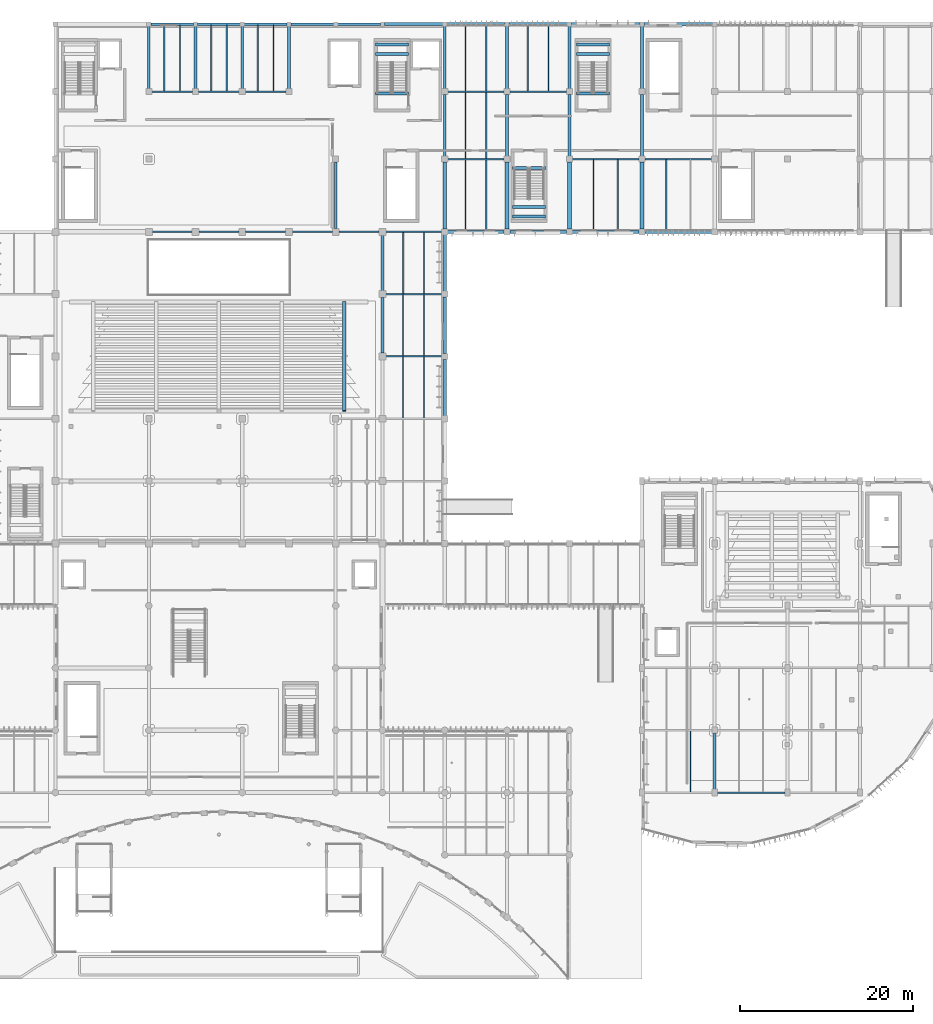
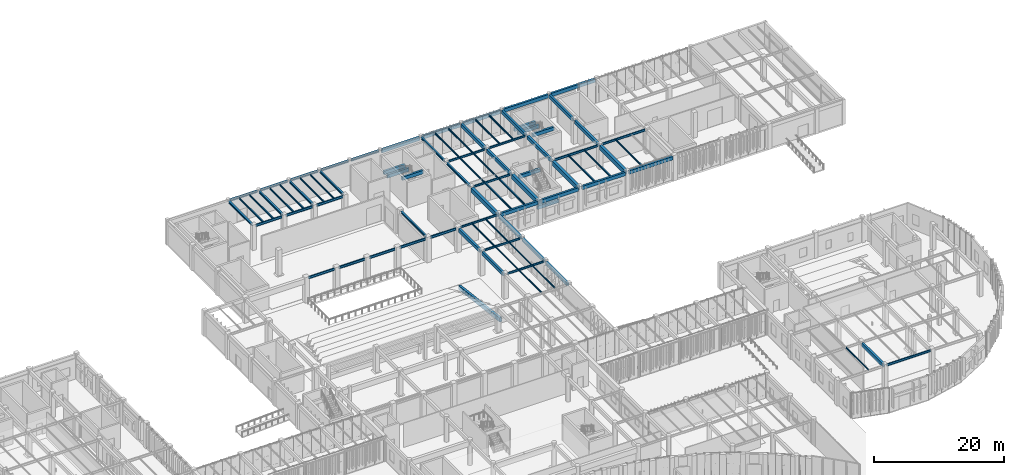
# One storey, part 13 of 122: 88 beams.
"""IFC4 building model written with IfcOpenShell, lengths in metres."""

from ifc_helpers import new_model, si_unit, direction, frame, origin, origin_2d, place, context, subcontext, project, spatial, rectangle, i_section, extrude, material, material_profile, profile_set, type_object, element, save


model = new_model("IFC4")

# Units and contexts
model_context = context("Model", 3, precision=1e-05, world=origin(), true_north=direction((0.0, 1.0)))
body_context = subcontext(model_context, "Body", "Model", "MODEL_VIEW")
ifc_project = project(units=[si_unit("LENGTHUNIT", "METRE"), si_unit("AREAUNIT", "SQUARE_METRE"), si_unit("VOLUMEUNIT", "CUBIC_METRE"), si_unit("PLANEANGLEUNIT", "RADIAN"), si_unit("MASSUNIT", "GRAM", prefix="KILO")], contexts=[model_context])

# Site, building, storey
site_placement = place(None, origin())
site = spatial("IfcSite", under=ifc_project, at=site_placement, CompositionType="ELEMENT")
building_placement = place(site_placement, origin())
building = spatial("IfcBuilding", under=site, at=building_placement, Name="Tazoul Stagehouse", CompositionType="ELEMENT")
storey_placement = place(building_placement, origin())
storey = spatial("IfcBuildingStorey", under=building, at=storey_placement, Name="L00", CompositionType="ELEMENT", Elevation=0.0)

# Beams
ifc_material_1 = material(Name="Concrete C40/50", Category="concrete")
ifc_material_profile_1 = material_profile(ifc_material_1, rectangle(XDim=0.39990234375, YDim=0.75, at=origin_2d()), Name="RC 400x750")
ifc_profile_set_1 = profile_set([ifc_material_profile_1], Name="Concrete C40/50")
beam_type_1 = type_object("IfcBeamType", Name="RC Auditorium Raker Girder 400x750", PredefinedType="BEAM", material=ifc_profile_set_1)
beam_1_placement = place(storey_placement, frame((91.0, 79.699951171875, -0.330078125), z_axis=(0.0, -0.992612977455, 0.121323851688), x_axis=(1.0, 0.0, 0.0)))
element("IfcBeam", 1, at=beam_1_placement, inside=storey, type_object=beam_type_1, Name="RAKER V1-STALLS RB-01-05", PredefinedType="BEAM", context=body_context, shape_type="SweptSolid", body=[
    extrude(rectangle(XDim=0.39990234375, YDim=0.75, at=origin_2d()), origin(), (0.0, 0.0, 1.0), 12.693603515625),
])
ifc_material_profile_2 = material_profile(ifc_material_1, rectangle(XDim=0.35009765625, YDim=0.64990234375, at=origin_2d()), Name="RC 350x650")
ifc_profile_set_2 = profile_set([ifc_material_profile_2], Name="Concrete C40/50")
beam_type_2 = type_object("IfcBeamType", Name="RC Perimeter Spandrel 350x650 (Exterior)", PredefinedType="SPANDREL", material=ifc_profile_set_2)
for number, where, z_axis, x_axis, name in (
    (2, (102.925048828125, 87.800048828125, 4.212890625), (1.0, 0.0, 0.0), (0.0, 1.0, 0.0), "L00 Beam SP-01E N/16-17"),
    (3, (110.125, 87.800048828125, 4.212890625), (1.0, 0.0, 0.0), (0.0, 1.0, 0.0), "L00 Beam SP-01E N/17-18"),
):
    element("IfcBeam", number, at=place(storey_placement, frame(where, z_axis=z_axis, x_axis=x_axis)), inside=storey, type_object=beam_type_2, Name=name, PredefinedType="SPANDREL", context=body_context, shape_type="SweptSolid", body=[
        extrude(rectangle(XDim=0.35009765625, YDim=0.64990234375, at=origin_2d()), origin(), (0.0, 0.0, 1.0), 6.550048828125),
    ])
for number, where, z_axis, x_axis, name in (
    (4, (117.324951171875, 87.800048828125, 4.212890625), (1.0, 0.0, 0.0), (0.0, 1.0, 0.0), "L00 Beam SP-01E N/18-19"),
    (5, (125.72509765625, 87.800048828125, 4.212890625), (1.0, 0.0, 0.0), (0.0, 1.0, 0.0), "L00 Beam SP-01E N/19-20"),
):
    element("IfcBeam", number, at=place(storey_placement, frame(where, z_axis=z_axis, x_axis=x_axis)), inside=storey, type_object=beam_type_2, Name=name, PredefinedType="SPANDREL", context=body_context, shape_type="SweptSolid", body=[
        extrude(rectangle(XDim=0.35009765625, YDim=0.64990234375, at=origin_2d()), origin(), (0.0, 0.0, 1.0), 7.75),
    ])
for number, where, z_axis, x_axis, name in (
    (6, (95.625, 111.800048828125, 4.212890625), (1.0, 0.0, 0.0), (0.0, 1.0, 0.0), "L00 Beam SP-01E R/15-16"),
    (7, (102.824951171875, 111.800048828125, 4.212890625), (1.0, 0.0, 0.0), (0.0, 1.0, 0.0), "L00 Beam SP-01E R/16-17"),
    (8, (110.02490234375, 111.800048828125, 4.212890625), (1.0, 0.0, 0.0), (0.0, 1.0, 0.0), "L00 Beam SP-01E R/17-18"),
):
    element("IfcBeam", number, at=place(storey_placement, frame(where, z_axis=z_axis, x_axis=x_axis)), inside=storey, type_object=beam_type_2, Name=name, PredefinedType="SPANDREL", context=body_context, shape_type="SweptSolid", body=[
        extrude(rectangle(XDim=0.35009765625, YDim=0.64990234375, at=origin_2d()), origin(), (0.0, 0.0, 1.0), 6.75),
    ])
for number, where, z_axis, x_axis, name in (
    (9, (117.22509765625, 111.800048828125, 4.212890625), (1.0, 0.0, 0.0), (0.0, 1.0, 0.0), "L00 Beam SP-01E R/18-19"),
    (10, (125.625, 111.800048828125, 4.212890625), (1.0, 0.0, 0.0), (0.0, 1.0, 0.0), "L00 Beam SP-01E R/19-20"),
):
    element("IfcBeam", number, at=place(storey_placement, frame(where, z_axis=z_axis, x_axis=x_axis)), inside=storey, type_object=beam_type_2, Name=name, PredefinedType="SPANDREL", context=body_context, shape_type="SweptSolid", body=[
        extrude(rectangle(XDim=0.35009765625, YDim=0.64990234375, at=origin_2d()), origin(), (0.0, 0.0, 1.0), 7.949951171875),
    ])
beam_2_placement = place(storey_placement, frame((102.60009765625, 66.52490234375, 4.212890625), z_axis=(0.0, 1.0, 0.0), x_axis=(-1.0, 0.0, 0.0)))
element("IfcBeam", 11, at=beam_2_placement, inside=storey, type_object=beam_type_2, Name="L00 Beam SP-01E 16/K-L", PredefinedType="SPANDREL", context=body_context, shape_type="SweptSolid", body=[
    extrude(rectangle(XDim=0.35009765625, YDim=0.64990234375, at=origin_2d()), origin(), (0.0, 0.0, 1.0), 6.550048828125),
])
beam_3_placement = place(storey_placement, frame((102.60009765625, 73.72509765625, 4.212890625), z_axis=(0.0, 1.0, 0.0), x_axis=(-1.0, 0.0, 0.0)))
element("IfcBeam", 12, at=beam_3_placement, inside=storey, type_object=beam_type_2, Name="L00 Beam SP-01E 16/L-M", PredefinedType="SPANDREL", context=body_context, shape_type="SweptSolid", body=[
    extrude(rectangle(XDim=0.35009765625, YDim=0.64990234375, at=origin_2d()), origin(), (0.0, 0.0, 1.0), 6.5498046875),
])
beam_4_placement = place(storey_placement, frame((102.60009765625, 80.925048828125, 4.212890625), z_axis=(0.0, 1.0, 0.0), x_axis=(-1.0, 0.0, 0.0)))
element("IfcBeam", 13, at=beam_4_placement, inside=storey, type_object=beam_type_2, Name="L00 Beam SP-01E 16/M-N", PredefinedType="SPANDREL", context=body_context, shape_type="SweptSolid", body=[
    extrude(rectangle(XDim=0.35009765625, YDim=0.64990234375, at=origin_2d()), origin(), (0.0, 0.0, 1.0), 6.550048828125),
])
ifc_material_profile_3 = material_profile(ifc_material_1, rectangle(XDim=0.35009765625, YDim=0.64990234375, at=origin_2d()), Name="RC 350x650")
ifc_profile_set_3 = profile_set([ifc_material_profile_3], Name="Concrete C40/50")
beam_type_3 = type_object("IfcBeamType", Name="RC Primary Girder 350x650", PredefinedType="BEAM", material=ifc_profile_set_3)
beam_5_placement = place(storey_placement, frame((95.39990234375, 73.77490234375, 4.212890625), z_axis=(0.0, 1.0, 0.0), x_axis=(-1.0, 0.0, 0.0)))
element("IfcBeam", 14, at=beam_5_placement, inside=storey, type_object=beam_type_3, Name="L00 Beam BM-01 15/L-M", PredefinedType="BEAM", context=body_context, shape_type="SweptSolid", body=[
    extrude(rectangle(XDim=0.35009765625, YDim=0.64990234375, at=origin_2d()), origin(), (0.0, 0.0, 1.0), 6.4501953125),
])
beam_6_placement = place(storey_placement, frame((95.39990234375, 80.97509765625, 4.212890625), z_axis=(0.0, 1.0, 0.0), x_axis=(-1.0, 0.0, 0.0)))
element("IfcBeam", 15, at=beam_6_placement, inside=storey, type_object=beam_type_3, Name="L00 Beam BM-01 15/M-N", PredefinedType="BEAM", context=body_context, shape_type="SweptSolid", body=[
    extrude(rectangle(XDim=0.35009765625, YDim=0.64990234375, at=origin_2d()), origin(), (0.0, 0.0, 1.0), 6.449951171875),
])
beam_7_placement = place(storey_placement, frame((109.800048828125, 96.52490234375, 4.212890625), z_axis=(0.0, 1.0, 0.0), x_axis=(-1.0, 0.0, 0.0)))
element("IfcBeam", 16, at=beam_7_placement, inside=storey, type_object=beam_type_3, Name="L00 Beam BM-01 17/P-Q", PredefinedType="BEAM", context=body_context, shape_type="SweptSolid", body=[
    extrude(rectangle(XDim=0.35009765625, YDim=0.64990234375, at=origin_2d()), origin(), (0.0, 0.0, 1.0), 7.150146484375),
])
beam_8_placement = place(storey_placement, frame((109.800048828125, 104.324951171875, 4.212890625), z_axis=(0.0, 1.0, 0.0), x_axis=(-1.0, 0.0, 0.0)))
element("IfcBeam", 17, at=beam_8_placement, inside=storey, type_object=beam_type_3, Name="L00 Beam BM-01 17/Q-R", PredefinedType="BEAM", context=body_context, shape_type="SweptSolid", body=[
    extrude(rectangle(XDim=0.35009765625, YDim=0.64990234375, at=origin_2d()), origin(), (0.0, 0.0, 1.0), 7.25),
])
beam_9_placement = place(storey_placement, frame((117.0, 96.52490234375, 4.212890625), z_axis=(0.0, 1.0, 0.0), x_axis=(-1.0, 0.0, 0.0)))
element("IfcBeam", 18, at=beam_9_placement, inside=storey, type_object=beam_type_3, Name="L00 Beam BM-01 18/P-Q", PredefinedType="BEAM", context=body_context, shape_type="SweptSolid", body=[
    extrude(rectangle(XDim=0.35009765625, YDim=0.64990234375, at=origin_2d()), origin(), (0.0, 0.0, 1.0), 7.150146484375),
])
beam_10_placement = place(storey_placement, frame((117.0, 104.324951171875, 4.212890625), z_axis=(0.0, 1.0, 0.0), x_axis=(-1.0, 0.0, 0.0)))
element("IfcBeam", 19, at=beam_10_placement, inside=storey, type_object=beam_type_3, Name="L00 Beam BM-01 18/Q-R", PredefinedType="BEAM", context=body_context, shape_type="SweptSolid", body=[
    extrude(rectangle(XDim=0.35009765625, YDim=0.64990234375, at=origin_2d()), origin(), (0.0, 0.0, 1.0), 7.25),
])
beam_11_placement = place(storey_placement, frame((125.39990234375, 96.52490234375, 4.212890625), z_axis=(0.0, 1.0, 0.0), x_axis=(-1.0, 0.0, 0.0)))
element("IfcBeam", 20, at=beam_11_placement, inside=storey, type_object=beam_type_3, Name="L00 Beam BM-01 19/P-Q", PredefinedType="BEAM", context=body_context, shape_type="SweptSolid", body=[
    extrude(rectangle(XDim=0.35009765625, YDim=0.64990234375, at=origin_2d()), origin(), (0.0, 0.0, 1.0), 7.150146484375),
])
beam_12_placement = place(storey_placement, frame((125.39990234375, 104.324951171875, 4.212890625), z_axis=(0.0, 1.0, 0.0), x_axis=(-1.0, 0.0, 0.0)))
element("IfcBeam", 21, at=beam_12_placement, inside=storey, type_object=beam_type_3, Name="L00 Beam BM-01 19/Q-R", PredefinedType="BEAM", context=body_context, shape_type="SweptSolid", body=[
    extrude(rectangle(XDim=0.35009765625, YDim=0.64990234375, at=origin_2d()), origin(), (0.0, 0.0, 1.0), 7.25),
])
beam_13_placement = place(storey_placement, frame((133.800048828125, 23.375, 4.212890625), z_axis=(0.0, 1.0, 0.0), x_axis=(-1.0, 0.0, 0.0)))
element("IfcBeam", 22, at=beam_13_placement, inside=storey, type_object=beam_type_3, Name="L00 Beam BM-01 20/D-E", PredefinedType="BEAM", context=body_context, shape_type="SweptSolid", body=[
    extrude(rectangle(XDim=0.35009765625, YDim=0.64990234375, at=origin_2d()), origin(), (0.0, 0.0, 1.0), 6.449951171875),
])
for number, where, z_axis, x_axis, name in (
    (23, (94.6201171875, 108.35009765625, 1.8798828125), (1.0, 0.0, 0.0), (0.0, 1.0, 0.0), "L00 Stair Half-Landing Trimmer BM-01 (ST-01-1)"),
    (24, (94.6201171875, 109.449951171875, 1.8798828125), (1.0, 0.0, 0.0), (0.0, 1.0, 0.0), "L00 Stair Half-Landing Trimmer BM-01 (ST-01-2)"),
    (25, (94.6201171875, 103.800048828125, 4.215087890625), (1.0, 0.0, 0.0), (0.0, 1.0, 0.0), "L00 Stair Landing Trimmer BM-01 (ST-01-FL)"),
    (26, (117.820068359375, 108.35009765625, 1.8798828125), (1.0, 0.0, 0.0), (0.0, 1.0, 0.0), "L00 Stair Half-Landing Trimmer BM-01 (ST-02-1)"),
    (27, (117.820068359375, 109.449951171875, 1.8798828125), (1.0, 0.0, 0.0), (0.0, 1.0, 0.0), "L00 Stair Half-Landing Trimmer BM-01 (ST-02-2)"),
    (28, (117.820068359375, 103.800048828125, 4.215087890625), (1.0, 0.0, 0.0), (0.0, 1.0, 0.0), "L00 Stair Landing Trimmer BM-01 (ST-02-FL)"),
):
    element("IfcBeam", number, at=place(storey_placement, frame(where, z_axis=z_axis, x_axis=x_axis)), inside=storey, type_object=beam_type_3, Name=name, PredefinedType="BEAM", context=body_context, shape_type="SweptSolid", body=[
        extrude(rectangle(XDim=0.35009765625, YDim=0.64990234375, at=origin_2d()), origin(), (0.0, 0.0, 1.0), 3.809814453125),
    ])
for number, where, z_axis, x_axis, name in (
    (29, (110.419921875, 89.550048828125, 1.8798828125), (1.0, 0.0, 0.0), (0.0, 1.0, 0.0), "L00 Stair Half-Landing Trimmer BM-01 (ST-04-1)"),
    (30, (110.419921875, 90.64990234375, 1.8798828125), (1.0, 0.0, 0.0), (0.0, 1.0, 0.0), "L00 Stair Half-Landing Trimmer BM-01 (ST-04-2)"),
    (31, (110.419921875, 95.199951171875, 4.215087890625), (1.0, 0.0, 0.0), (0.0, 1.0, 0.0), "L00 Stair Landing Trimmer BM-01 (ST-04-FL)"),
):
    element("IfcBeam", number, at=place(storey_placement, frame(where, z_axis=z_axis, x_axis=x_axis)), inside=storey, type_object=beam_type_3, Name=name, PredefinedType="BEAM", context=body_context, shape_type="SweptSolid", body=[
        extrude(rectangle(XDim=0.35009765625, YDim=0.64990234375, at=origin_2d()), origin(), (0.0, 0.0, 1.0), 3.81005859375),
    ])
ifc_material_profile_4 = material_profile(ifc_material_1, rectangle(XDim=0.449951171875, YDim=0.85009765625, at=origin_2d()), Name="RC 450x850")
ifc_profile_set_4 = profile_set([ifc_material_profile_4], Name="Concrete C40/50")
beam_type_4 = type_object("IfcBeamType", Name="RC Primary Girder 450x850", PredefinedType="BEAM", material=ifc_profile_set_4)
for number, where, z_axis, x_axis, name in (
    (32, (102.60009765625, 88.125, 4.113037109375), (0.0, 1.0, 0.0), (-1.0, 0.0, 0.0), "L00 Beam BM-03 16/N-P"),
    (33, (109.800048828125, 88.125, 4.113037109375), (0.0, 1.0, 0.0), (-1.0, 0.0, 0.0), "L00 Beam BM-03 17/N-P"),
    (34, (117.0, 88.125, 4.113037109375), (0.0, 1.0, 0.0), (-1.0, 0.0, 0.0), "L00 Beam BM-03 18/N-P"),
    (35, (125.39990234375, 88.125, 4.113037109375), (0.0, 1.0, 0.0), (-1.0, 0.0, 0.0), "L00 Beam BM-03 19/N-P"),
):
    element("IfcBeam", number, at=place(storey_placement, frame(where, z_axis=z_axis, x_axis=x_axis)), inside=storey, type_object=beam_type_4, Name=name, PredefinedType="BEAM", context=body_context, shape_type="SweptSolid", body=[
        extrude(rectangle(XDim=0.449951171875, YDim=0.85009765625, at=origin_2d()), origin(), (0.0, 0.0, 1.0), 7.75),
    ])
ifc_material_2 = material(Name="Steel S355", Category="steel")
ifc_material_profile_5 = material_profile(ifc_material_2, i_section(OverallWidth=0.1201171875, OverallDepth=0.239990234375, WebThickness=0.006103515625, FlangeThickness=0.009765625, FilletRadius=0.014892578125, at=origin_2d()), Name="IPE 240")
ifc_profile_set_5 = profile_set([ifc_material_profile_5], Name="Steel S355")
beam_type_5 = type_object("IfcBeamType", Name="Steel Floor Joist IPE 240", PredefinedType="JOIST", material=ifc_profile_set_5)
beam_14_placement = place(storey_placement, frame((131.0, 23.06494140625, 4.41796875), z_axis=(0.0, 1.0, 0.0), x_axis=(-1.0, 0.0, 0.0)))
element("IfcBeam", 36, at=beam_14_placement, inside=storey, type_object=beam_type_5, Name="L00 Joist JS-01 19/D-2", PredefinedType="JOIST", context=body_context, shape_type="SweptSolid", body=[
    extrude(i_section(OverallWidth=0.1201171875, OverallDepth=0.239990234375, WebThickness=0.006103515625, FlangeThickness=0.009765625, FilletRadius=0.014892578125, at=origin_2d()), origin(), (0.0, 0.0, 1.0), 7.070068359375),
])
for number, where, z_axis, x_axis, name in (
    (37, (97.800048828125, 66.260009765625, 4.41796875), (0.0, 1.0, 0.0), (-1.0, 0.0, 0.0), "L00 Joist JS-01 15/K-1"),
    (38, (100.199951171875, 66.260009765625, 4.41796875), (0.0, 1.0, 0.0), (-1.0, 0.0, 0.0), "L00 Joist JS-01 15/K-2"),
    (39, (97.800048828125, 73.4599609375, 4.41796875), (0.0, 1.0, 0.0), (-1.0, 0.0, 0.0), "L00 Joist JS-01 15/L-1"),
    (40, (100.199951171875, 73.4599609375, 4.41796875), (0.0, 1.0, 0.0), (-1.0, 0.0, 0.0), "L00 Joist JS-01 15/L-2"),
):
    element("IfcBeam", number, at=place(storey_placement, frame(where, z_axis=z_axis, x_axis=x_axis)), inside=storey, type_object=beam_type_5, Name=name, PredefinedType="JOIST", context=body_context, shape_type="SweptSolid", body=[
        extrude(i_section(OverallWidth=0.1201171875, OverallDepth=0.239990234375, WebThickness=0.006103515625, FlangeThickness=0.009765625, FilletRadius=0.014892578125, at=origin_2d()), origin(), (0.0, 0.0, 1.0), 7.080078125),
    ])
ifc_material_profile_6 = material_profile(ifc_material_2, i_section(OverallWidth=0.300048828125, OverallDepth=0.35009765625, WebThickness=0.010009765625, FlangeThickness=0.017578125, FilletRadius=0.027099609375, at=origin_2d()), Name="HEA 360")
ifc_profile_set_6 = profile_set([ifc_material_profile_6], Name="Steel S355")
beam_type_6 = type_object("IfcBeamType", Name="Steel Fly-Tower Ring Beam HEA 360", PredefinedType="BEAM", material=ifc_profile_set_6)
for number, where, z_axis, x_axis, name in (
    (41, (68.39990234375, 104.324951171875, 4.363037109375), (0.0, 1.0, 0.0), (-1.0, 0.0, 0.0), "L00 Beam SB-07 10/Q-R"),
    (42, (73.800048828125, 104.324951171875, 4.363037109375), (0.0, 1.0, 0.0), (-1.0, 0.0, 0.0), "L00 Beam SB-07 11/Q-R"),
    (43, (79.199951171875, 104.324951171875, 4.363037109375), (0.0, 1.0, 0.0), (-1.0, 0.0, 0.0), "L00 Beam SB-07 12/Q-R"),
    (44, (84.60009765625, 104.324951171875, 4.363037109375), (0.0, 1.0, 0.0), (-1.0, 0.0, 0.0), "L00 Beam SB-07 13/Q-R"),
):
    element("IfcBeam", number, at=place(storey_placement, frame(where, z_axis=z_axis, x_axis=x_axis)), inside=storey, type_object=beam_type_6, Name=name, PredefinedType="BEAM", context=body_context, shape_type="SweptSolid", body=[
        extrude(i_section(OverallWidth=0.300048828125, OverallDepth=0.35009765625, WebThickness=0.010009765625, FlangeThickness=0.017578125, FilletRadius=0.027099609375, at=origin_2d()), origin(), (0.0, 0.0, 1.0), 7.25),
    ])
beam_15_placement = place(storey_placement, frame((90.0, 88.175048828125, 4.363037109375), z_axis=(0.0, 1.0, 0.0), x_axis=(-1.0, 0.0, 0.0)))
element("IfcBeam", 45, at=beam_15_placement, inside=storey, type_object=beam_type_6, Name="L00 Beam SB-07 14/N-P", PredefinedType="BEAM", context=body_context, shape_type="SweptSolid", body=[
    extrude(i_section(OverallWidth=0.300048828125, OverallDepth=0.35009765625, WebThickness=0.010009765625, FlangeThickness=0.017578125, FilletRadius=0.027099609375, at=origin_2d()), origin(), (0.0, 0.0, 1.0), 7.699951171875),
])
beam_16_placement = place(storey_placement, frame((102.60009765625, 96.52490234375, 4.363037109375), z_axis=(0.0, 1.0, 0.0), x_axis=(-1.0, 0.0, 0.0)))
element("IfcBeam", 46, at=beam_16_placement, inside=storey, type_object=beam_type_6, Name="L00 Beam SB-07 16/P-Q", PredefinedType="BEAM", context=body_context, shape_type="SweptSolid", body=[
    extrude(i_section(OverallWidth=0.300048828125, OverallDepth=0.35009765625, WebThickness=0.010009765625, FlangeThickness=0.017578125, FilletRadius=0.027099609375, at=origin_2d()), origin(), (0.0, 0.0, 1.0), 7.150146484375),
])
beam_17_placement = place(storey_placement, frame((102.60009765625, 104.324951171875, 4.363037109375), z_axis=(0.0, 1.0, 0.0), x_axis=(-1.0, 0.0, 0.0)))
element("IfcBeam", 47, at=beam_17_placement, inside=storey, type_object=beam_type_6, Name="L00 Beam SB-07 16/Q-R", PredefinedType="BEAM", context=body_context, shape_type="SweptSolid", body=[
    extrude(i_section(OverallWidth=0.300048828125, OverallDepth=0.35009765625, WebThickness=0.010009765625, FlangeThickness=0.017578125, FilletRadius=0.027099609375, at=origin_2d()), origin(), (0.0, 0.0, 1.0), 7.25),
])
ifc_material_profile_7 = material_profile(ifc_material_2, i_section(OverallWidth=0.300048828125, OverallDepth=0.389892578125, WebThickness=0.010986328125, FlangeThickness=0.01904296875, FilletRadius=0.027099609375, at=origin_2d()), Name="HEA 400")
ifc_profile_set_7 = profile_set([ifc_material_profile_7], Name="Steel S355")
beam_type_7 = type_object("IfcBeamType", Name="Steel Fly-Tower Spandrel HEA 400 (Exterior)", PredefinedType="SPANDREL", material=ifc_profile_set_7)
beam_18_placement = place(storey_placement, frame((68.625, 111.800048828125, 4.343017578125), z_axis=(1.0, 0.0, 0.0), x_axis=(0.0, 1.0, 0.0)))
element("IfcBeam", 48, at=beam_18_placement, inside=storey, type_object=beam_type_7, Name="L00 Beam SP-04E R/10-11", PredefinedType="SPANDREL", context=body_context, shape_type="SweptSolid", body=[
    extrude(i_section(OverallWidth=0.300048828125, OverallDepth=0.389892578125, WebThickness=0.010986328125, FlangeThickness=0.01904296875, FilletRadius=0.027099609375, at=origin_2d()), origin(), (0.0, 0.0, 1.0), 4.949951171875),
])
beam_19_placement = place(storey_placement, frame((74.02490234375, 111.800048828125, 4.343017578125), z_axis=(1.0, 0.0, 0.0), x_axis=(0.0, 1.0, 0.0)))
element("IfcBeam", 49, at=beam_19_placement, inside=storey, type_object=beam_type_7, Name="L00 Beam SP-04E R/11-12", PredefinedType="SPANDREL", context=body_context, shape_type="SweptSolid", body=[
    extrude(i_section(OverallWidth=0.300048828125, OverallDepth=0.389892578125, WebThickness=0.010986328125, FlangeThickness=0.01904296875, FilletRadius=0.027099609375, at=origin_2d()), origin(), (0.0, 0.0, 1.0), 4.9501953125),
])
for number, where, z_axis, x_axis, name in (
    (50, (79.425048828125, 111.800048828125, 4.343017578125), (1.0, 0.0, 0.0), (0.0, 1.0, 0.0), "L00 Beam SP-04E R/12-13"),
    (51, (84.824951171875, 111.800048828125, 4.343017578125), (1.0, 0.0, 0.0), (0.0, 1.0, 0.0), "L00 Beam SP-04E R/13-14"),
    (52, (90.22509765625, 111.800048828125, 4.343017578125), (1.0, 0.0, 0.0), (0.0, 1.0, 0.0), "L00 Beam SP-04E R/14-15"),
):
    element("IfcBeam", number, at=place(storey_placement, frame(where, z_axis=z_axis, x_axis=x_axis)), inside=storey, type_object=beam_type_7, Name=name, PredefinedType="SPANDREL", context=body_context, shape_type="SweptSolid", body=[
        extrude(i_section(OverallWidth=0.300048828125, OverallDepth=0.389892578125, WebThickness=0.010986328125, FlangeThickness=0.01904296875, FilletRadius=0.027099609375, at=origin_2d()), origin(), (0.0, 0.0, 1.0), 4.949951171875),
    ])
ifc_material_profile_8 = material_profile(ifc_material_2, i_section(OverallWidth=0.169921875, OverallDepth=0.360107421875, WebThickness=0.008056640625, FlangeThickness=0.0126953125, FilletRadius=0.01806640625, at=origin_2d()), Name="IPE 360")
ifc_profile_set_8 = profile_set([ifc_material_profile_8], Name="Steel S355")
beam_type_8 = type_object("IfcBeamType", Name="Steel Primary Girder IPE 360", PredefinedType="BEAM", material=ifc_profile_set_8)
for number, where, z_axis, x_axis, name in (
    (53, (95.77490234375, 73.39990234375, 4.35791015625), (1.0, 0.0, 0.0), (0.0, 1.0, 0.0), "L00 Beam SB-01 L/15-16"),
    (54, (95.77490234375, 80.60009765625, 4.35791015625), (1.0, 0.0, 0.0), (0.0, 1.0, 0.0), "L00 Beam SB-01 M/15-16"),
    (55, (95.77490234375, 87.800048828125, 4.35791015625), (1.0, 0.0, 0.0), (0.0, 1.0, 0.0), "L00 Beam SB-01 N/15-16"),
):
    element("IfcBeam", number, at=place(storey_placement, frame(where, z_axis=z_axis, x_axis=x_axis)), inside=storey, type_object=beam_type_8, Name=name, PredefinedType="BEAM", context=body_context, shape_type="SweptSolid", body=[
        extrude(i_section(OverallWidth=0.169921875, OverallDepth=0.360107421875, WebThickness=0.008056640625, FlangeThickness=0.0126953125, FilletRadius=0.01806640625, at=origin_2d()), origin(), (0.0, 0.0, 1.0), 6.5),
    ])
for number, where, z_axis, x_axis, name in (
    (56, (102.925048828125, 96.199951171875, 4.35791015625), (1.0, 0.0, 0.0), (0.0, 1.0, 0.0), "L00 Beam SB-01 P/16-17"),
    (57, (102.925048828125, 104.0, 4.35791015625), (1.0, 0.0, 0.0), (0.0, 1.0, 0.0), "L00 Beam SB-01 Q/16-17"),
    (58, (110.125, 104.0, 4.35791015625), (1.0, 0.0, 0.0), (0.0, 1.0, 0.0), "L00 Beam SB-01 Q/17-18"),
):
    element("IfcBeam", number, at=place(storey_placement, frame(where, z_axis=z_axis, x_axis=x_axis)), inside=storey, type_object=beam_type_8, Name=name, PredefinedType="BEAM", context=body_context, shape_type="SweptSolid", body=[
        extrude(i_section(OverallWidth=0.169921875, OverallDepth=0.360107421875, WebThickness=0.008056640625, FlangeThickness=0.0126953125, FilletRadius=0.01806640625, at=origin_2d()), origin(), (0.0, 0.0, 1.0), 6.550048828125),
    ])
ifc_material_profile_9 = material_profile(ifc_material_2, i_section(OverallWidth=0.179931640625, OverallDepth=0.39990234375, WebThickness=0.008544921875, FlangeThickness=0.013427734375, FilletRadius=0.02099609375, at=origin_2d()), Name="IPE 400")
ifc_profile_set_9 = profile_set([ifc_material_profile_9], Name="Steel S355")
beam_type_9 = type_object("IfcBeamType", Name="Steel Primary Girder IPE 400", PredefinedType="BEAM", material=ifc_profile_set_9)
beam_20_placement = place(storey_placement, frame((134.074951171875, 23.0, 4.337890625), z_axis=(1.0, 0.0, 0.0), x_axis=(0.0, 1.0, 0.0)))
element("IfcBeam", 59, at=beam_20_placement, inside=storey, type_object=beam_type_9, Name="L00 Beam SB-02 D/20-21", PredefinedType="BEAM", context=body_context, shape_type="SweptSolid", body=[
    extrude(i_section(OverallWidth=0.179931640625, OverallDepth=0.39990234375, WebThickness=0.008544921875, FlangeThickness=0.013427734375, FilletRadius=0.02099609375, at=origin_2d()), origin(), (0.0, 0.0, 1.0), 7.85009765625),
])
for number, where, z_axis, x_axis, name in (
    (60, (117.324951171875, 96.199951171875, 4.337890625), (1.0, 0.0, 0.0), (0.0, 1.0, 0.0), "L00 Beam SB-02 P/18-19"),
    (61, (125.72509765625, 96.199951171875, 4.337890625), (1.0, 0.0, 0.0), (0.0, 1.0, 0.0), "L00 Beam SB-02 P/19-20"),
):
    element("IfcBeam", number, at=place(storey_placement, frame(where, z_axis=z_axis, x_axis=x_axis)), inside=storey, type_object=beam_type_9, Name=name, PredefinedType="BEAM", context=body_context, shape_type="SweptSolid", body=[
        extrude(i_section(OverallWidth=0.179931640625, OverallDepth=0.39990234375, WebThickness=0.008544921875, FlangeThickness=0.013427734375, FilletRadius=0.02099609375, at=origin_2d()), origin(), (0.0, 0.0, 1.0), 7.75),
    ])
ifc_material_profile_10 = material_profile(ifc_material_2, i_section(OverallWidth=0.18994140625, OverallDepth=0.449951171875, WebThickness=0.009521484375, FlangeThickness=0.0146484375, FilletRadius=0.02099609375, at=origin_2d()), Name="IPE 450")
ifc_profile_set_10 = profile_set([ifc_material_profile_10], Name="Steel S355")
beam_type_10 = type_object("IfcBeamType", Name="Steel Stage Girder IPE 450", PredefinedType="BEAM", material=ifc_profile_set_10)
beam_21_placement = place(storey_placement, frame((68.77490234375, 87.800048828125, 4.31298828125), z_axis=(1.0, 0.0, 0.0), x_axis=(0.0, 1.0, 0.0)))
element("IfcBeam", 62, at=beam_21_placement, inside=storey, type_object=beam_type_10, Name="L00 Beam SB-03 N/10-11", PredefinedType="BEAM", context=body_context, shape_type="SweptSolid", body=[
    extrude(i_section(OverallWidth=0.18994140625, OverallDepth=0.449951171875, WebThickness=0.009521484375, FlangeThickness=0.0146484375, FilletRadius=0.02099609375, at=origin_2d()), origin(), (0.0, 0.0, 1.0), 4.650146484375),
])
beam_22_placement = place(storey_placement, frame((74.175048828125, 87.800048828125, 4.31298828125), z_axis=(1.0, 0.0, 0.0), x_axis=(0.0, 1.0, 0.0)))
element("IfcBeam", 63, at=beam_22_placement, inside=storey, type_object=beam_type_10, Name="L00 Beam SB-03 N/11-12", PredefinedType="BEAM", context=body_context, shape_type="SweptSolid", body=[
    extrude(i_section(OverallWidth=0.18994140625, OverallDepth=0.449951171875, WebThickness=0.009521484375, FlangeThickness=0.0146484375, FilletRadius=0.02099609375, at=origin_2d()), origin(), (0.0, 0.0, 1.0), 4.64990234375),
])
beam_23_placement = place(storey_placement, frame((79.574951171875, 87.800048828125, 4.31298828125), z_axis=(1.0, 0.0, 0.0), x_axis=(0.0, 1.0, 0.0)))
element("IfcBeam", 64, at=beam_23_placement, inside=storey, type_object=beam_type_10, Name="L00 Beam SB-03 N/12-13", PredefinedType="BEAM", context=body_context, shape_type="SweptSolid", body=[
    extrude(i_section(OverallWidth=0.18994140625, OverallDepth=0.449951171875, WebThickness=0.009521484375, FlangeThickness=0.0146484375, FilletRadius=0.02099609375, at=origin_2d()), origin(), (0.0, 0.0, 1.0), 4.650146484375),
])
for number, where, z_axis, x_axis, name in (
    (65, (84.97509765625, 87.800048828125, 4.31298828125), (1.0, 0.0, 0.0), (0.0, 1.0, 0.0), "L00 Beam SB-03 N/13-14"),
    (66, (90.375, 87.800048828125, 4.31298828125), (1.0, 0.0, 0.0), (0.0, 1.0, 0.0), "L00 Beam SB-03 N/14-15"),
):
    element("IfcBeam", number, at=place(storey_placement, frame(where, z_axis=z_axis, x_axis=x_axis)), inside=storey, type_object=beam_type_10, Name=name, PredefinedType="BEAM", context=body_context, shape_type="SweptSolid", body=[
        extrude(i_section(OverallWidth=0.18994140625, OverallDepth=0.449951171875, WebThickness=0.009521484375, FlangeThickness=0.0146484375, FilletRadius=0.02099609375, at=origin_2d()), origin(), (0.0, 0.0, 1.0), 4.64990234375),
    ])
for number, where, z_axis, x_axis, name in (
    (67, (68.72509765625, 104.0, 4.31298828125), (1.0, 0.0, 0.0), (0.0, 1.0, 0.0), "L00 Beam SB-03 Q/10-11"),
    (68, (74.125, 104.0, 4.31298828125), (1.0, 0.0, 0.0), (0.0, 1.0, 0.0), "L00 Beam SB-03 Q/11-12"),
    (69, (79.52490234375, 104.0, 4.31298828125), (1.0, 0.0, 0.0), (0.0, 1.0, 0.0), "L00 Beam SB-03 Q/12-13"),
):
    element("IfcBeam", number, at=place(storey_placement, frame(where, z_axis=z_axis, x_axis=x_axis)), inside=storey, type_object=beam_type_10, Name=name, PredefinedType="BEAM", context=body_context, shape_type="SweptSolid", body=[
        extrude(i_section(OverallWidth=0.18994140625, OverallDepth=0.449951171875, WebThickness=0.009521484375, FlangeThickness=0.0146484375, FilletRadius=0.02099609375, at=origin_2d()), origin(), (0.0, 0.0, 1.0), 4.75),
    ])
ifc_material_profile_11 = material_profile(ifc_material_2, i_section(OverallWidth=0.14990234375, OverallDepth=0.300048828125, WebThickness=0.007080078125, FlangeThickness=0.0107421875, FilletRadius=0.014892578125, at=origin_2d()), Name="IPE 300")
ifc_profile_set_11 = profile_set([ifc_material_profile_11], Name="Steel S355")
beam_type_11 = type_object("IfcBeamType", Name="Steel Stage Joist IPE 300", PredefinedType="JOIST", material=ifc_profile_set_11)
for number, where, z_axis, x_axis, name in (
    (70, (97.800048828125, 80.659912109375, 4.387939453125), (0.0, 1.0, 0.0), (-1.0, 0.0, 0.0), "L00 Joist JS-03 15/M-1"),
    (71, (100.199951171875, 80.659912109375, 4.387939453125), (0.0, 1.0, 0.0), (-1.0, 0.0, 0.0), "L00 Joist JS-03 15/M-2"),
):
    element("IfcBeam", number, at=place(storey_placement, frame(where, z_axis=z_axis, x_axis=x_axis)), inside=storey, type_object=beam_type_11, Name=name, PredefinedType="JOIST", context=body_context, shape_type="SweptSolid", body=[
        extrude(i_section(OverallWidth=0.14990234375, OverallDepth=0.300048828125, WebThickness=0.007080078125, FlangeThickness=0.0107421875, FilletRadius=0.014892578125, at=origin_2d()), origin(), (0.0, 0.0, 1.0), 7.080078125),
    ])
for number, where, z_axis, x_axis, name in (
    (72, (105.0, 87.949951171875, 4.387939453125), (0.0, 1.0, 0.0), (-1.0, 0.0, 0.0), "L00 Joist JS-03 16/N-1"),
    (73, (107.39990234375, 87.949951171875, 4.387939453125), (0.0, 1.0, 0.0), (-1.0, 0.0, 0.0), "L00 Joist JS-03 16/N-2"),
):
    element("IfcBeam", number, at=place(storey_placement, frame(where, z_axis=z_axis, x_axis=x_axis)), inside=storey, type_object=beam_type_11, Name=name, PredefinedType="JOIST", context=body_context, shape_type="SweptSolid", body=[
        extrude(i_section(OverallWidth=0.14990234375, OverallDepth=0.300048828125, WebThickness=0.007080078125, FlangeThickness=0.0107421875, FilletRadius=0.014892578125, at=origin_2d()), origin(), (0.0, 0.0, 1.0), 8.18994140625),
    ])
for number, where, z_axis, x_axis, name in (
    (74, (119.800048828125, 87.949951171875, 4.387939453125), (0.0, 1.0, 0.0), (-1.0, 0.0, 0.0), "L00 Joist JS-03 18/N-1"),
    (75, (122.60009765625, 87.949951171875, 4.387939453125), (0.0, 1.0, 0.0), (-1.0, 0.0, 0.0), "L00 Joist JS-03 18/N-2"),
    (76, (128.199951171875, 87.949951171875, 4.387939453125), (0.0, 1.0, 0.0), (-1.0, 0.0, 0.0), "L00 Joist JS-03 19/N-1"),
):
    element("IfcBeam", number, at=place(storey_placement, frame(where, z_axis=z_axis, x_axis=x_axis)), inside=storey, type_object=beam_type_11, Name=name, PredefinedType="JOIST", context=body_context, shape_type="SweptSolid", body=[
        extrude(i_section(OverallWidth=0.14990234375, OverallDepth=0.300048828125, WebThickness=0.007080078125, FlangeThickness=0.0107421875, FilletRadius=0.014892578125, at=origin_2d()), origin(), (0.0, 0.0, 1.0), 8.18505859375),
    ])
for number, where, z_axis, x_axis, name in (
    (77, (105.0, 96.260009765625, 4.387939453125), (0.0, 1.0, 0.0), (-1.0, 0.0, 0.0), "L00 Joist JS-03 16/P-1"),
    (78, (107.39990234375, 96.260009765625, 4.387939453125), (0.0, 1.0, 0.0), (-1.0, 0.0, 0.0), "L00 Joist JS-03 16/P-2"),
):
    element("IfcBeam", number, at=place(storey_placement, frame(where, z_axis=z_axis, x_axis=x_axis)), inside=storey, type_object=beam_type_11, Name=name, PredefinedType="JOIST", context=body_context, shape_type="SweptSolid", body=[
        extrude(i_section(OverallWidth=0.14990234375, OverallDepth=0.300048828125, WebThickness=0.007080078125, FlangeThickness=0.0107421875, FilletRadius=0.014892578125, at=origin_2d()), origin(), (0.0, 0.0, 1.0), 7.679931640625),
    ])
for number, where, z_axis, x_axis, name in (
    (79, (70.199951171875, 104.070068359375, 4.387939453125), (0.0, 1.0, 0.0), (-1.0, 0.0, 0.0), "L00 Joist JS-03 10/Q-1"),
    (80, (72.0, 104.070068359375, 4.387939453125), (0.0, 1.0, 0.0), (-1.0, 0.0, 0.0), "L00 Joist JS-03 10/Q-2"),
    (81, (75.60009765625, 104.070068359375, 4.387939453125), (0.0, 1.0, 0.0), (-1.0, 0.0, 0.0), "L00 Joist JS-03 11/Q-1"),
    (82, (77.39990234375, 104.070068359375, 4.387939453125), (0.0, 1.0, 0.0), (-1.0, 0.0, 0.0), "L00 Joist JS-03 11/Q-2"),
    (83, (81.0, 104.070068359375, 4.387939453125), (0.0, 1.0, 0.0), (-1.0, 0.0, 0.0), "L00 Joist JS-03 12/Q-1"),
    (84, (82.800048828125, 104.070068359375, 4.387939453125), (0.0, 1.0, 0.0), (-1.0, 0.0, 0.0), "L00 Joist JS-03 12/Q-2"),
):
    element("IfcBeam", number, at=place(storey_placement, frame(where, z_axis=z_axis, x_axis=x_axis)), inside=storey, type_object=beam_type_11, Name=name, PredefinedType="JOIST", context=body_context, shape_type="SweptSolid", body=[
        extrude(i_section(OverallWidth=0.14990234375, OverallDepth=0.300048828125, WebThickness=0.007080078125, FlangeThickness=0.0107421875, FilletRadius=0.014892578125, at=origin_2d()), origin(), (0.0, 0.0, 1.0), 7.60498046875),
    ])
for number, where, z_axis, x_axis, name in (
    (85, (105.0, 104.06005859375, 4.387939453125), (0.0, 1.0, 0.0), (-1.0, 0.0, 0.0), "L00 Joist JS-03 16/Q-1"),
    (86, (107.39990234375, 104.06005859375, 4.387939453125), (0.0, 1.0, 0.0), (-1.0, 0.0, 0.0), "L00 Joist JS-03 16/Q-2"),
    (87, (112.199951171875, 104.06005859375, 4.387939453125), (0.0, 1.0, 0.0), (-1.0, 0.0, 0.0), "L00 Joist JS-03 17/Q-1"),
    (88, (114.60009765625, 104.06005859375, 4.387939453125), (0.0, 1.0, 0.0), (-1.0, 0.0, 0.0), "L00 Joist JS-03 17/Q-2"),
):
    element("IfcBeam", number, at=place(storey_placement, frame(where, z_axis=z_axis, x_axis=x_axis)), inside=storey, type_object=beam_type_11, Name=name, PredefinedType="JOIST", context=body_context, shape_type="SweptSolid", body=[
        extrude(i_section(OverallWidth=0.14990234375, OverallDepth=0.300048828125, WebThickness=0.007080078125, FlangeThickness=0.0107421875, FilletRadius=0.014892578125, at=origin_2d()), origin(), (0.0, 0.0, 1.0), 7.58984375),
    ])

save(model, "model.ifc")
